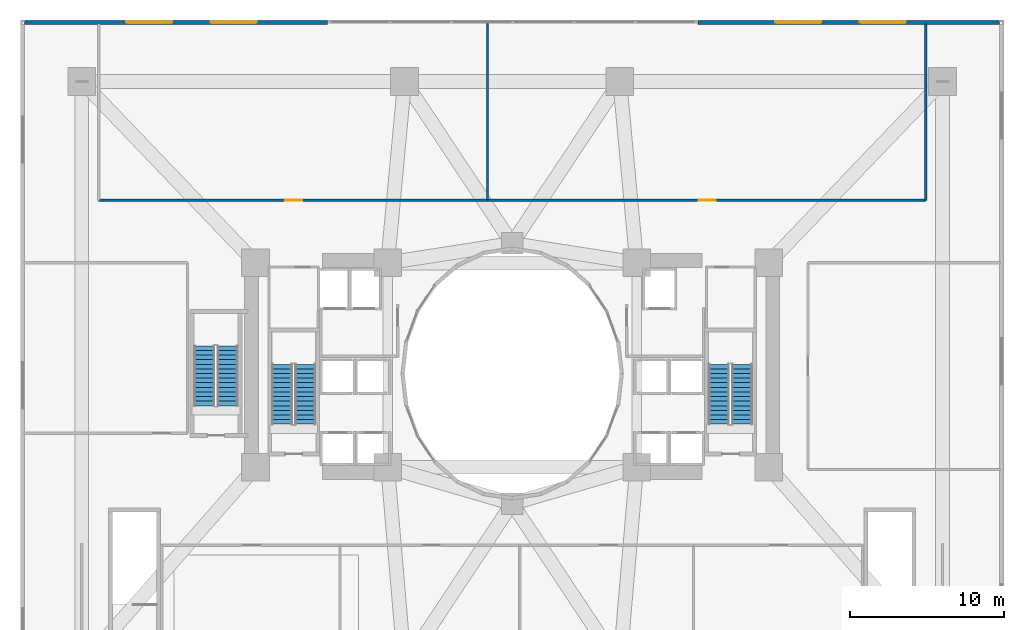
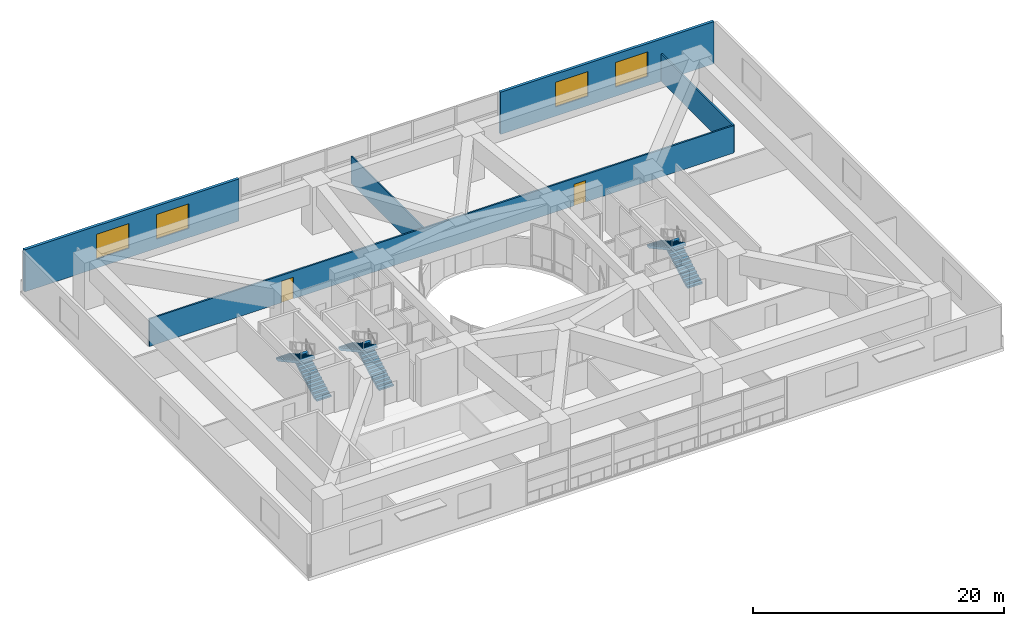
# One storey, part 21 of 27: 6 stair flights, 5 walls, 4 windows, 2 doors, 6 openings, 3 elements without a shape of their own.
"""IFC4 building model written with IfcOpenShell, lengths in metres."""

from ifc_helpers import new_model, si_unit, direction, frame, frame_2d, origin, place, context, subcontext, project, spatial, polyline, rectangle, outline, extrude, material, layer, layer_set, type_object, element, fill, aggregate, save


model = new_model("IFC4")

# Units and contexts
model_context = context("Model", 3, precision=1e-05, world=origin(), true_north=direction((0.0, 1.0)))
body_context = subcontext(model_context, "Body", "Model", "MODEL_VIEW")
ifc_project = project(units=[si_unit("LENGTHUNIT", "METRE"), si_unit("AREAUNIT", "SQUARE_METRE"), si_unit("VOLUMEUNIT", "CUBIC_METRE"), si_unit("PLANEANGLEUNIT", "RADIAN"), si_unit("MASSUNIT", "GRAM", prefix="KILO")], contexts=[model_context])

# Site, building, storey
site_placement = place(None, origin())
site = spatial("IfcSite", under=ifc_project, at=site_placement, CompositionType="ELEMENT")
building_placement = place(site_placement, origin())
building = spatial("IfcBuilding", under=site, at=building_placement, Name="Solvane Sanctuary Tower", CompositionType="ELEMENT")
storey_placement = place(building_placement, frame((0.0, 0.0, 23.0)))
storey = spatial("IfcBuildingStorey", under=building, at=storey_placement, Name="L06", CompositionType="ELEMENT", Elevation=23.0)

# Wall, openings, doors
ifc_material_1 = material(Name="Acoustic Gypsum Partition Board")
ifc_layer_1 = layer(ifc_material_1, 0.14990234375, Name="Acoustic Gypsum Partition Board")
ifc_layer_set_1 = layer_set([ifc_layer_1], Name="Acoustic Gypsum Partition Board")
wall_type_1 = type_object("IfcWallType", Name="Wall W-CORR-150", PredefinedType="PARTITIONING", material=ifc_layer_set_1)
wall_1_placement = place(storey_placement, frame((5.10009765625, 34.27001953125, 0.0), z_axis=(0.0, 0.0, 1.0), x_axis=(1.0, 0.0, 0.0)))
wall_1 = element("IfcWall", 1, at=wall_1_placement, inside=storey, type_object=wall_type_1, Name="L06 North Sanctuary Corridor Wall", PredefinedType="PARTITIONING", context=body_context, shape_type="SweptSolid", body=[
    extrude(rectangle(XDim=53.7998046875, YDim=0.14990234375, at=frame_2d((26.89990234375, 0.0))), origin(), (0.0, 0.0, 1.0), 2.669921875),
])
opening_1_placement = place(wall_1_placement, frame((12.14990234375, 0.0, 0.0)))
opening_1 = element("IfcOpeningElement", 2, at=opening_1_placement, cuts=wall_1, Name="Opening D-L06-12", PredefinedType="OPENING", context=body_context, shape_type="SweptSolid", body=[
    extrude(rectangle(XDim=1.10009765625, YDim=2.10009765625, at=frame_2d((0.550048828125, 1.050048828125))), frame((0.0, 0.0849609375, 0.0), z_axis=(0.0, -1.0, 0.0), x_axis=(1.0, 0.0, 0.0)), (0.0, 0.0, 1.0), 0.169921875),
])
opening_2_placement = place(wall_1_placement, frame((39.050048828125, 0.0, 0.0)))
opening_2 = element("IfcOpeningElement", 3, at=opening_2_placement, cuts=wall_1, Name="Opening D-L06-13", PredefinedType="OPENING", context=body_context, shape_type="SweptSolid", body=[
    extrude(rectangle(XDim=1.10009765625, YDim=2.10009765625, at=frame_2d((0.550048828125, 1.050048828125))), frame((0.0, 0.0849609375, 0.0), z_axis=(0.0, -1.0, 0.0), x_axis=(1.0, 0.0, 0.0)), (0.0, 0.0, 1.0), 0.169921875),
])
ifc_material_2 = material(Name="Architectural Stainless Steel 316", Category="steel")
door_type = type_object("IfcDoorType", Name="Door D-FFL", OperationType="NOTDEFINED", PredefinedType="DOOR", material=ifc_material_2)
door_1_placement = place(opening_1_placement, origin())
door_1 = element("IfcDoor", 4, at=door_1_placement, inside=storey, type_object=door_type, Name="L06 MEDH Hall Door", OperationType="SINGLE_SWING_RIGHT", OverallHeight=2.10009765625, OverallWidth=1.10009765625, PredefinedType="DOOR", context=body_context, shape_type="SweptSolid", body=[
    extrude(rectangle(XDim=1.10009765625, YDim=2.10009765625, at=frame_2d((0.550048828125, 1.050048828125))), frame((0.0, 0.02490234375, 0.0), z_axis=(0.0, -1.0, 0.0), x_axis=(1.0, 0.0, 0.0)), (0.0, 0.0, 1.0), 0.050048828125),
])
fill(opening_1, door_1)
door_2_placement = place(opening_2_placement, origin())
door_2 = element("IfcDoor", 5, at=door_2_placement, inside=storey, type_object=door_type, Name="L06 PLIB Hall Door", OperationType="SINGLE_SWING_LEFT", OverallHeight=2.10009765625, OverallWidth=1.10009765625, PredefinedType="DOOR", context=body_context, shape_type="SweptSolid", body=[
    extrude(rectangle(XDim=1.10009765625, YDim=2.10009765625, at=frame_2d((0.550048828125, 1.050048828125))), frame((0.0, 0.02490234375, 0.0), z_axis=(0.0, -1.0, 0.0), x_axis=(1.0, 0.0, 0.0)), (0.0, 0.0, 1.0), 0.050048828125),
])
fill(opening_2, door_2)

# Wall
wall_2_placement = place(storey_placement, frame((58.89990234375, 34.27001953125, 0.0), z_axis=(0.0, 0.0, 1.0), x_axis=(0.0, 1.0, 0.0)))
element("IfcWall", 6, at=wall_2_placement, inside=storey, type_object=wall_type_1, Name="L06 North Hall East Wall", PredefinedType="PARTITIONING", context=body_context, shape_type="SweptSolid", body=[
    extrude(rectangle(XDim=11.47998046875, YDim=0.14990234375, at=frame_2d((5.739990234375, 0.0))), origin(), (0.0, 0.0, 1.0), 2.669921875),
])

# Wall, openings, windows
ifc_material_3 = material(Name="Precast concrete C40/50", Category="concrete")
ifc_layer_2 = layer(ifc_material_3, 0.260009765625, Name="Precast concrete C40/50")
ifc_layer_set_2 = layer_set([ifc_layer_2], Name="Precast concrete C40/50")
wall_type_2 = type_object("IfcWallType", Name="Wall W-EXT-250", PredefinedType="STANDARD", material=ifc_layer_set_2)
wall_3_placement = place(storey_placement, frame((63.719970703125, 45.85009765625, 0.0), z_axis=(0.0, 0.0, 1.0), x_axis=(-1.0, 0.0, 0.0)))
wall_3 = element("IfcWall", 7, at=wall_3_placement, inside=storey, type_object=wall_type_2, Name="L06 Podium Facade Wall N1", PredefinedType="STANDARD", context=body_context, shape_type="SweptSolid", body=[
    extrude(rectangle(XDim=19.639892578125, YDim=0.260009765625, at=frame_2d((9.81982421875, 0.0))), origin(), (0.0, 0.0, 1.0), 4.10009765625),
])
opening_3_placement = place(wall_3_placement, frame((6.10009765625, 0.0, 0.89990234375)))
opening_3 = element("IfcOpeningElement", 8, at=opening_3_placement, cuts=wall_3, Name="Opening WN-POD-3000", PredefinedType="OPENING", context=body_context, shape_type="SweptSolid", body=[
    extrude(rectangle(XDim=3.0, YDim=2.39990234375, at=frame_2d((1.5, 1.199951171875))), frame((0.0, 0.139892578125, 0.0), z_axis=(0.0, -1.0, 0.0), x_axis=(1.0, 0.0, 0.0)), (0.0, 0.0, 1.0), 0.280029296875),
])
opening_4_placement = place(wall_3_placement, frame((11.60009765625, 0.0, 0.89990234375)))
opening_4 = element("IfcOpeningElement", 9, at=opening_4_placement, cuts=wall_3, Name="Opening WN-POD-3000", PredefinedType="OPENING", context=body_context, shape_type="SweptSolid", body=[
    extrude(rectangle(XDim=3.0, YDim=2.39990234375, at=frame_2d((1.5, 1.199951171875))), frame((0.0, 0.139892578125, 0.0), z_axis=(0.0, -1.0, 0.0), x_axis=(1.0, 0.0, 0.0)), (0.0, 0.0, 1.0), 0.280029296875),
])
ifc_material_4 = material(Name="Dark Ceramic-Fritted Low-E Glass", Category="glass")
window_type = type_object("IfcWindowType", Name="Window WN-POD-3000", PartitioningType="SINGLE_PANEL", PredefinedType="WINDOW", material=ifc_material_4)
window_1_placement = place(opening_3_placement, origin())
window_1 = element("IfcWindow", 10, at=window_1_placement, inside=storey, type_object=window_type, Name="L06 Podium Window N1-6", OverallHeight=2.39990234375, OverallWidth=3.0, PartitioningType="SINGLE_PANEL", PredefinedType="WINDOW", context=body_context, shape_type="SweptSolid", body=[
    extrude(rectangle(XDim=3.0, YDim=2.39990234375, at=frame_2d((1.5, 1.199951171875))), frame((0.0, 0.030029296875, 0.0), z_axis=(0.0, -1.0, 0.0), x_axis=(1.0, 0.0, 0.0)), (0.0, 0.0, 1.0), 0.06005859375),
])
fill(opening_3, window_1)
window_2_placement = place(opening_4_placement, origin())
window_2 = element("IfcWindow", 11, at=window_2_placement, inside=storey, type_object=window_type, Name="L06 Podium Window N1-11", OverallHeight=2.39990234375, OverallWidth=3.0, PartitioningType="SINGLE_PANEL", PredefinedType="WINDOW", context=body_context, shape_type="SweptSolid", body=[
    extrude(rectangle(XDim=3.0, YDim=2.39990234375, at=frame_2d((1.5, 1.199951171875))), frame((0.0, 0.030029296875, 0.0), z_axis=(0.0, -1.0, 0.0), x_axis=(1.0, 0.0, 0.0)), (0.0, 0.0, 1.0), 0.06005859375),
])
fill(opening_4, window_2)

wall_4_placement = place(storey_placement, frame((20.0, 45.85009765625, 0.0), z_axis=(0.0, 0.0, 1.0), x_axis=(-1.0, 0.0, 0.0)))
wall_4 = element("IfcWall", 12, at=wall_4_placement, inside=storey, type_object=wall_type_2, Name="L06 Podium Facade Wall N3", PredefinedType="STANDARD", context=body_context, shape_type="SweptSolid", body=[
    extrude(rectangle(XDim=19.719970703125, YDim=0.260009765625, at=frame_2d((9.85986328125, 0.0))), origin(), (0.0, 0.0, 1.0), 4.10009765625),
])
opening_5_placement = place(wall_4_placement, frame((4.6201171875, 0.0, 0.89990234375)))
opening_5 = element("IfcOpeningElement", 13, at=opening_5_placement, cuts=wall_4, Name="Opening WN-POD-3000", PredefinedType="OPENING", context=body_context, shape_type="SweptSolid", body=[
    extrude(rectangle(XDim=3.0, YDim=2.39990234375, at=frame_2d((1.5, 1.199951171875))), frame((0.0, 0.139892578125, 0.0), z_axis=(0.0, -1.0, 0.0), x_axis=(1.0, 0.0, 0.0)), (0.0, 0.0, 1.0), 0.280029296875),
])
opening_6_placement = place(wall_4_placement, frame((10.1201171875, 0.0, 0.89990234375)))
opening_6 = element("IfcOpeningElement", 14, at=opening_6_placement, cuts=wall_4, Name="Opening WN-POD-3000", PredefinedType="OPENING", context=body_context, shape_type="SweptSolid", body=[
    extrude(rectangle(XDim=3.0, YDim=2.39990234375, at=frame_2d((1.5, 1.199951171875))), frame((0.0, 0.139892578125, 0.0), z_axis=(0.0, -1.0, 0.0), x_axis=(1.0, 0.0, 0.0)), (0.0, 0.0, 1.0), 0.280029296875),
])
window_3_placement = place(opening_5_placement, origin())
window_3 = element("IfcWindow", 15, at=window_3_placement, inside=storey, type_object=window_type, Name="L06 Podium Window N3-4", OverallHeight=2.39990234375, OverallWidth=3.0, PartitioningType="SINGLE_PANEL", PredefinedType="WINDOW", context=body_context, shape_type="SweptSolid", body=[
    extrude(rectangle(XDim=3.0, YDim=2.39990234375, at=frame_2d((1.5, 1.199951171875))), frame((0.0, 0.030029296875, 0.0), z_axis=(0.0, -1.0, 0.0), x_axis=(1.0, 0.0, 0.0)), (0.0, 0.0, 1.0), 0.06005859375),
])
fill(opening_5, window_3)
window_4_placement = place(opening_6_placement, origin())
window_4 = element("IfcWindow", 16, at=window_4_placement, inside=storey, type_object=window_type, Name="L06 Podium Window N3-10", OverallHeight=2.39990234375, OverallWidth=3.0, PartitioningType="SINGLE_PANEL", PredefinedType="WINDOW", context=body_context, shape_type="SweptSolid", body=[
    extrude(rectangle(XDim=3.0, YDim=2.39990234375, at=frame_2d((1.5, 1.199951171875))), frame((0.0, 0.030029296875, 0.0), z_axis=(0.0, -1.0, 0.0), x_axis=(1.0, 0.0, 0.0)), (0.0, 0.0, 1.0), 0.06005859375),
])
fill(opening_6, window_4)

# Wall
ifc_layer_3 = layer(ifc_material_1, 0.1201171875, Name="Acoustic Gypsum Partition Board")
ifc_layer_set_3 = layer_set([ifc_layer_3], Name="Acoustic Gypsum Partition Board")
wall_type_3 = type_object("IfcWallType", Name="Wall W-MOV-100", PredefinedType="MOVABLE", material=ifc_layer_set_3)
wall_5_placement = place(storey_placement, frame((30.39990234375, 34.320068359375, 0.0), z_axis=(0.0, 0.0, 1.0), x_axis=(0.0, 1.0, 0.0)))
element("IfcWall", 17, at=wall_5_placement, inside=storey, type_object=wall_type_3, Name="L06 Hall Dividing Partition MEDH", PredefinedType="MOVABLE", context=body_context, shape_type="SweptSolid", body=[
    extrude(rectangle(XDim=11.429931640625, YDim=0.1201171875, at=frame_2d((5.71484375, 0.0))), origin(), (0.0, 0.0, 1.0), 2.669921875),
])

# Stair, stair flights
ifc_material_5 = material(Name="Concrete C45/55", Category="concrete")
stair_type = type_object("IfcStairType", Name="Stair ST-TOW", PredefinedType="HALF_TURN_STAIR", material=ifc_material_5)
stair_1_placement = place(storey_placement, origin())
stair_1 = element("IfcStair", 18, at=stair_1_placement, inside=storey, type_object=stair_type, Name="L06 Exit Stair ST-1 West Core", PredefinedType="HALF_TURN_STAIR")
stair_flight_type = type_object("IfcStairFlightType", Name="StairFlight SF-TOW", PredefinedType="STRAIGHT", material=ifc_material_5)
stair_flight_1_placement = place(storey_placement, frame((18.544921875, 19.699951171875, 0.0), z_axis=(0.0, 0.0, 1.0), x_axis=(0.0, 1.0, 0.0)))
stair_flight_1 = element("IfcStairFlight", 19, at=stair_flight_1_placement, type_object=stair_flight_type, Name="ST-1 flight 1", NumberOfRisers=14, NumberOfTreads=13, PredefinedType="STRAIGHT", RiserHeight=0.164285714, TreadLength=0.3, context=body_context, shape_type="SweptSolid", body=[
    extrude(outline(polyline([(0.0, 0.0), (0.0, 0.164306640625), (0.300048828125, 0.164306640625), (0.300048828125, 0.32861328125), (0.60009765625, 0.32861328125), (0.60009765625, 0.492919921875), (0.89990234375, 0.492919921875), (0.89990234375, 0.6572265625), (1.199951171875, 0.6572265625), (1.199951171875, 0.821533203125), (1.5, 0.821533203125), (1.5, 0.985595703125), (1.800048828125, 0.985595703125), (1.800048828125, 1.14990234375), (2.10009765625, 1.14990234375), (2.10009765625, 1.314208984375), (2.39990234375, 1.314208984375), (2.39990234375, 1.478515625), (2.699951171875, 1.478515625), (2.699951171875, 1.642822265625), (3.0, 1.642822265625), (3.0, 1.80712890625), (3.300048828125, 1.80712890625), (3.300048828125, 1.971435546875), (3.60009765625, 1.971435546875), (3.60009765625, 2.1357421875), (3.89990234375, 2.1357421875), (3.89990234375, 2.300048828125), (3.89990234375, 1.9306640625), (0.37451171875, 0.0), (0.0, 0.0)])), frame((0.0, 0.675048828125, 0.0), z_axis=(0.0, -1.0, 0.0), x_axis=(1.0, 0.0, 0.0)), (0.0, 0.0, 1.0), 1.35009765625),
])
stair_flight_2_placement = place(storey_placement, frame((17.034912109375, 23.60009765625, 2.300048828125), z_axis=(0.0, 0.0, 1.0), x_axis=(0.0, -1.0, 0.0)))
stair_flight_2 = element("IfcStairFlight", 20, at=stair_flight_2_placement, type_object=stair_flight_type, Name="ST-1 flight 2", NumberOfRisers=14, NumberOfTreads=13, PredefinedType="STRAIGHT", RiserHeight=0.164285714, TreadLength=0.3, context=body_context, shape_type="SweptSolid", body=[
    extrude(outline(polyline([(0.0, 0.0), (0.0, 0.164306640625), (0.300048828125, 0.164306640625), (0.300048828125, 0.32861328125), (0.60009765625, 0.32861328125), (0.60009765625, 0.492919921875), (0.89990234375, 0.492919921875), (0.89990234375, 0.6572265625), (1.199951171875, 0.6572265625), (1.199951171875, 0.821533203125), (1.5, 0.821533203125), (1.5, 0.985595703125), (1.800048828125, 0.985595703125), (1.800048828125, 1.14990234375), (2.10009765625, 1.14990234375), (2.10009765625, 1.314208984375), (2.39990234375, 1.314208984375), (2.39990234375, 1.478515625), (2.699951171875, 1.478515625), (2.699951171875, 1.642822265625), (3.0, 1.642822265625), (3.0, 1.80712890625), (3.300048828125, 1.80712890625), (3.300048828125, 1.971435546875), (3.60009765625, 1.971435546875), (3.60009765625, 2.1357421875), (3.89990234375, 2.1357421875), (3.89990234375, 2.300048828125), (3.89990234375, 1.9306640625), (0.37451171875, 0.0), (0.0, 0.0)])), frame((0.0, 0.675048828125, 0.0), z_axis=(0.0, -1.0, 0.0), x_axis=(1.0, 0.0, 0.0)), (0.0, 0.0, 1.0), 1.35009765625),
])
aggregate(stair_1, [stair_flight_1, stair_flight_2])

stair_2_placement = place(storey_placement, origin())
stair_2 = element("IfcStair", 21, at=stair_2_placement, inside=storey, type_object=stair_type, Name="L06 Exit Stair ST-2 East Core", PredefinedType="HALF_TURN_STAIR")
stair_flight_3_placement = place(storey_placement, frame((46.965087890625, 19.699951171875, 0.0), z_axis=(0.0, 0.0, 1.0), x_axis=(0.0, 1.0, 0.0)))
stair_flight_3 = element("IfcStairFlight", 22, at=stair_flight_3_placement, type_object=stair_flight_type, Name="ST-2 flight 1", NumberOfRisers=14, NumberOfTreads=13, PredefinedType="STRAIGHT", RiserHeight=0.164285714, TreadLength=0.3, context=body_context, shape_type="SweptSolid", body=[
    extrude(outline(polyline([(0.0, 0.0), (0.0, 0.164306640625), (0.300048828125, 0.164306640625), (0.300048828125, 0.32861328125), (0.60009765625, 0.32861328125), (0.60009765625, 0.492919921875), (0.89990234375, 0.492919921875), (0.89990234375, 0.6572265625), (1.199951171875, 0.6572265625), (1.199951171875, 0.821533203125), (1.5, 0.821533203125), (1.5, 0.985595703125), (1.800048828125, 0.985595703125), (1.800048828125, 1.14990234375), (2.10009765625, 1.14990234375), (2.10009765625, 1.314208984375), (2.39990234375, 1.314208984375), (2.39990234375, 1.478515625), (2.699951171875, 1.478515625), (2.699951171875, 1.642822265625), (3.0, 1.642822265625), (3.0, 1.80712890625), (3.300048828125, 1.80712890625), (3.300048828125, 1.971435546875), (3.60009765625, 1.971435546875), (3.60009765625, 2.1357421875), (3.89990234375, 2.1357421875), (3.89990234375, 2.300048828125), (3.89990234375, 1.9306640625), (0.37451171875, 0.0), (0.0, 0.0)])), frame((0.0, 0.675048828125, 0.0), z_axis=(0.0, -1.0, 0.0), x_axis=(1.0, 0.0, 0.0)), (0.0, 0.0, 1.0), 1.35009765625),
])
stair_flight_4_placement = place(storey_placement, frame((45.455078125, 23.60009765625, 2.300048828125), z_axis=(0.0, 0.0, 1.0), x_axis=(0.0, -1.0, 0.0)))
stair_flight_4 = element("IfcStairFlight", 23, at=stair_flight_4_placement, type_object=stair_flight_type, Name="ST-2 flight 2", NumberOfRisers=14, NumberOfTreads=13, PredefinedType="STRAIGHT", RiserHeight=0.164285714, TreadLength=0.3, context=body_context, shape_type="SweptSolid", body=[
    extrude(outline(polyline([(0.0, 0.0), (0.0, 0.164306640625), (0.300048828125, 0.164306640625), (0.300048828125, 0.32861328125), (0.60009765625, 0.32861328125), (0.60009765625, 0.492919921875), (0.89990234375, 0.492919921875), (0.89990234375, 0.6572265625), (1.199951171875, 0.6572265625), (1.199951171875, 0.821533203125), (1.5, 0.821533203125), (1.5, 0.985595703125), (1.800048828125, 0.985595703125), (1.800048828125, 1.14990234375), (2.10009765625, 1.14990234375), (2.10009765625, 1.314208984375), (2.39990234375, 1.314208984375), (2.39990234375, 1.478515625), (2.699951171875, 1.478515625), (2.699951171875, 1.642822265625), (3.0, 1.642822265625), (3.0, 1.80712890625), (3.300048828125, 1.80712890625), (3.300048828125, 1.971435546875), (3.60009765625, 1.971435546875), (3.60009765625, 2.1357421875), (3.89990234375, 2.1357421875), (3.89990234375, 2.300048828125), (3.89990234375, 1.9306640625), (0.37451171875, 0.0), (0.0, 0.0)])), frame((0.0, 0.675048828125, 0.0), z_axis=(0.0, -1.0, 0.0), x_axis=(1.0, 0.0, 0.0)), (0.0, 0.0, 1.0), 1.35009765625),
])
aggregate(stair_2, [stair_flight_3, stair_flight_4])

stair_3_placement = place(storey_placement, origin())
stair_3 = element("IfcStair", 24, at=stair_3_placement, inside=storey, type_object=stair_type, Name="L06 Exit Stair ST-3 Pilgrim Tower Stair", PredefinedType="HALF_TURN_STAIR")
stair_flight_5_placement = place(storey_placement, frame((13.485107421875, 20.89990234375, 0.0), z_axis=(0.0, 0.0, 1.0), x_axis=(0.0, 1.0, 0.0)))
stair_flight_5 = element("IfcStairFlight", 25, at=stair_flight_5_placement, type_object=stair_flight_type, Name="ST-3 flight 1", NumberOfRisers=14, NumberOfTreads=13, PredefinedType="STRAIGHT", RiserHeight=0.164285714, TreadLength=0.3, context=body_context, shape_type="SweptSolid", body=[
    extrude(outline(polyline([(0.0, 0.0), (0.0, 0.164306640625), (0.300048828125, 0.164306640625), (0.300048828125, 0.32861328125), (0.60009765625, 0.32861328125), (0.60009765625, 0.492919921875), (0.89990234375, 0.492919921875), (0.89990234375, 0.6572265625), (1.199951171875, 0.6572265625), (1.199951171875, 0.821533203125), (1.5, 0.821533203125), (1.5, 0.985595703125), (1.800048828125, 0.985595703125), (1.800048828125, 1.14990234375), (2.10009765625, 1.14990234375), (2.10009765625, 1.314208984375), (2.39990234375, 1.314208984375), (2.39990234375, 1.478515625), (2.699951171875, 1.478515625), (2.699951171875, 1.642822265625), (3.0, 1.642822265625), (3.0, 1.80712890625), (3.300048828125, 1.80712890625), (3.300048828125, 1.971435546875), (3.60009765625, 1.971435546875), (3.60009765625, 2.1357421875), (3.89990234375, 2.1357421875), (3.89990234375, 2.300048828125), (3.89990234375, 1.9306640625), (0.37451171875, 0.0), (0.0, 0.0)])), frame((0.0, 0.675048828125, 0.0), z_axis=(0.0, -1.0, 0.0), x_axis=(1.0, 0.0, 0.0)), (0.0, 0.0, 1.0), 1.35009765625),
])
stair_flight_6_placement = place(storey_placement, frame((11.97509765625, 24.800048828125, 2.300048828125), z_axis=(0.0, 0.0, 1.0), x_axis=(0.0, -1.0, 0.0)))
stair_flight_6 = element("IfcStairFlight", 26, at=stair_flight_6_placement, type_object=stair_flight_type, Name="ST-3 flight 2", NumberOfRisers=14, NumberOfTreads=13, PredefinedType="STRAIGHT", RiserHeight=0.164285714, TreadLength=0.3, context=body_context, shape_type="SweptSolid", body=[
    extrude(outline(polyline([(0.0, 0.0), (0.0, 0.164306640625), (0.300048828125, 0.164306640625), (0.300048828125, 0.32861328125), (0.60009765625, 0.32861328125), (0.60009765625, 0.492919921875), (0.89990234375, 0.492919921875), (0.89990234375, 0.6572265625), (1.199951171875, 0.6572265625), (1.199951171875, 0.821533203125), (1.5, 0.821533203125), (1.5, 0.985595703125), (1.800048828125, 0.985595703125), (1.800048828125, 1.14990234375), (2.10009765625, 1.14990234375), (2.10009765625, 1.314208984375), (2.39990234375, 1.314208984375), (2.39990234375, 1.478515625), (2.699951171875, 1.478515625), (2.699951171875, 1.642822265625), (3.0, 1.642822265625), (3.0, 1.80712890625), (3.300048828125, 1.80712890625), (3.300048828125, 1.971435546875), (3.60009765625, 1.971435546875), (3.60009765625, 2.1357421875), (3.89990234375, 2.1357421875), (3.89990234375, 2.300048828125), (3.89990234375, 1.9306640625), (0.37451171875, 0.0), (0.0, 0.0)])), frame((0.0, 0.675048828125, 0.0), z_axis=(0.0, -1.0, 0.0), x_axis=(1.0, 0.0, 0.0)), (0.0, 0.0, 1.0), 1.35009765625),
])
aggregate(stair_3, [stair_flight_5, stair_flight_6])

save(model, "model.ifc")
